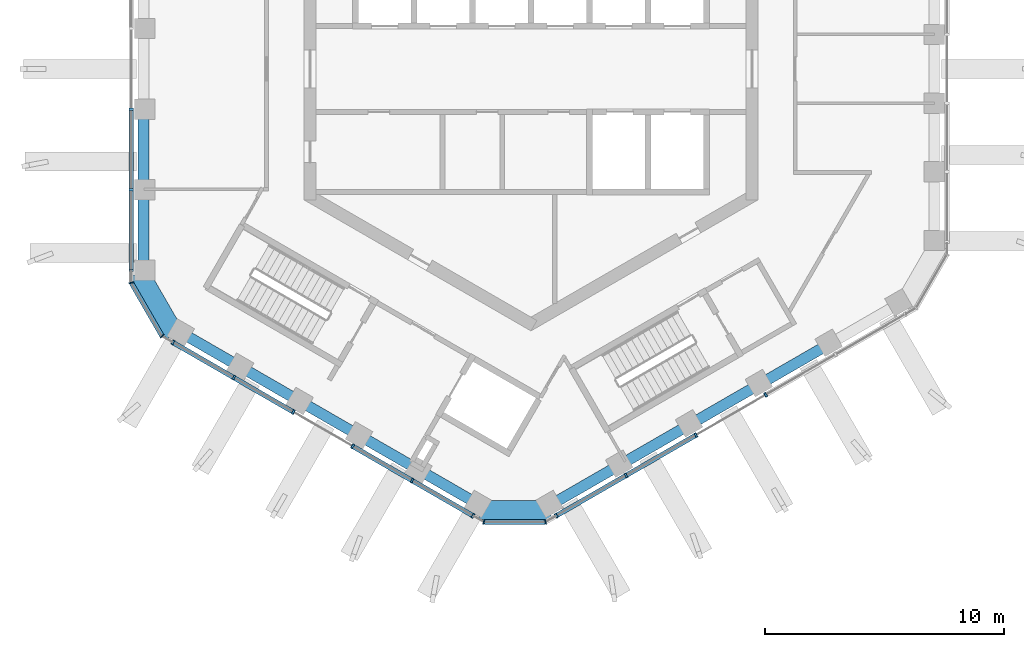
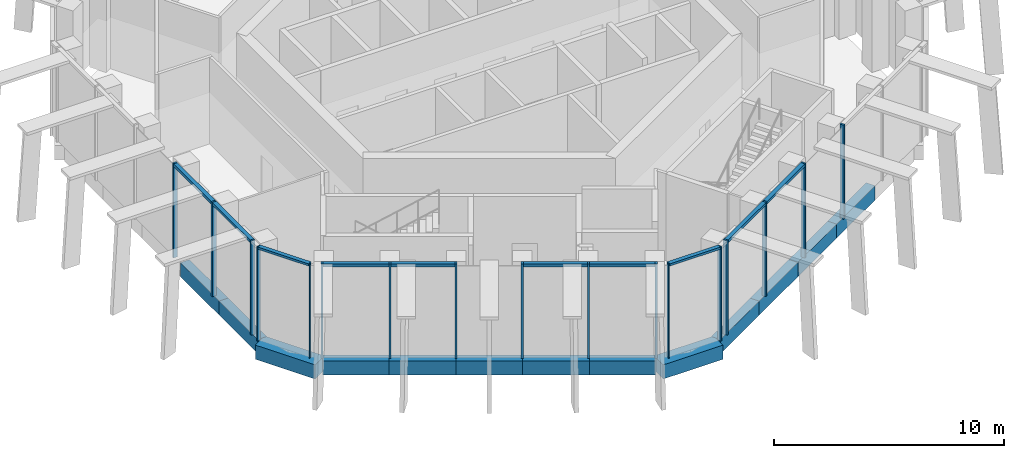
# One storey, part 2 of 17: 23 members, 13 beams, 5 elements without a shape of their own.
"""IFC4 building model written with IfcOpenShell, lengths in metres."""

from ifc_helpers import new_model, si_unit, direction, frame, origin, origin_2d, place, context, subcontext, project, spatial, rectangle, extrude, material, layer, layer_set, material_profile, profile_set, type_object, element, aggregate, save


model = new_model("IFC4")

# Units and contexts
model_context = context("Model", 3, precision=1e-05, world=origin(), true_north=direction((0.0, 1.0)))
body_context = subcontext(model_context, "Body", "Model", "MODEL_VIEW")
ifc_project = project(units=[si_unit("LENGTHUNIT", "METRE"), si_unit("AREAUNIT", "SQUARE_METRE"), si_unit("VOLUMEUNIT", "CUBIC_METRE"), si_unit("PLANEANGLEUNIT", "RADIAN"), si_unit("MASSUNIT", "GRAM", prefix="KILO")], contexts=[model_context])

# Site, building, storey
site_placement = place(None, origin())
site = spatial("IfcSite", under=ifc_project, at=site_placement, CompositionType="ELEMENT")
building_placement = place(site_placement, origin())
building = spatial("IfcBuilding", under=site, at=building_placement, Name="Ayvan Gate Tower", CompositionType="ELEMENT")
storey_placement = place(building_placement, frame((0.0, 0.0, 257.89990234375)))
storey = spatial("IfcBuildingStorey", under=building, at=storey_placement, Name="L69", CompositionType="ELEMENT", Elevation=257.89990234375)

# Beams
ifc_material_1 = material(Name="Concrete C40/50", Category="concrete")
ifc_material_profile_1 = material_profile(ifc_material_1, rectangle(XDim=0.800048828125, YDim=0.75, at=origin_2d()), Name="RC 800x750")
ifc_profile_set_1 = profile_set([ifc_material_profile_1], Name="Concrete C40/50")
beam_type_1 = type_object("IfcBeamType", Name="Corner spandrel beam RC 800x750 C40/50", PredefinedType="BEAM", material=ifc_profile_set_1)
for number, where, z_axis, x_axis, name in (
    (1, (-16.410888671875, -8.51318359375, -0.77490234375), (0.499990139034, -0.866031096941, 0.0), (0.866031096941, 0.499990139034, 0.0), "SB-L69-24"),
    (2, (-2.167236328125, -18.46875, -0.77490234375), (1.0, 0.0, 0.0), (0.0, 1.0, 0.0), "SB-L69-30"),
):
    element("IfcBeam", number, at=place(storey_placement, frame(where, z_axis=z_axis, x_axis=x_axis)), inside=storey, type_object=beam_type_1, Name=name, PredefinedType="BEAM", context=body_context, shape_type="SweptSolid", body=[
        extrude(rectangle(XDim=0.800048828125, YDim=0.75, at=origin_2d()), origin(), (0.0, 0.0, 1.0), 3.0),
    ])
ifc_material_profile_2 = material_profile(ifc_material_1, rectangle(XDim=0.449951171875, YDim=0.75, at=origin_2d()), Name="RC 450x750")
ifc_profile_set_2 = profile_set([ifc_material_profile_2], Name="Concrete C40/50")
beam_type_2 = type_object("IfcBeamType", Name="Spandrel beam RC 450x750 C40/50", PredefinedType="BEAM", material=ifc_profile_set_2)
beam_1_placement = place(storey_placement, frame((-16.22021484375, -1.6806640625, -0.77490234375), z_axis=(0.0, -1.0, 0.0), x_axis=(1.0, 0.0, 0.0)))
element("IfcBeam", 3, at=beam_1_placement, inside=storey, type_object=beam_type_2, Name="SB-L69-22", PredefinedType="BEAM", context=body_context, shape_type="SweptSolid", body=[
    extrude(rectangle(XDim=0.449951171875, YDim=0.75, at=origin_2d()), origin(), (0.0, 0.0, 1.0), 3.361328125),
])
beam_2_placement = place(storey_placement, frame((-16.22021484375, -5.0419921875, -0.77490234375), z_axis=(0.0, -1.0, 0.0), x_axis=(1.0, 0.0, 0.0)))
element("IfcBeam", 4, at=beam_2_placement, inside=storey, type_object=beam_type_2, Name="SB-L69-23", PredefinedType="BEAM", context=body_context, shape_type="SweptSolid", body=[
    extrude(rectangle(XDim=0.449951171875, YDim=0.75, at=origin_2d()), origin(), (0.0, 0.0, 1.0), 3.361083984375),
])
beam_3_placement = place(storey_placement, frame((-14.72021484375, -11.001220703125, -0.77490234375), z_axis=(0.86602149507, -0.500006770031, 0.0), x_axis=(0.500006770031, 0.86602149507, 0.0)))
element("IfcBeam", 5, at=beam_3_placement, inside=storey, type_object=beam_type_2, Name="SB-L69-25", PredefinedType="BEAM", context=body_context, shape_type="SweptSolid", body=[
    extrude(rectangle(XDim=0.449951171875, YDim=0.75, at=origin_2d()), origin(), (0.0, 0.0, 1.0), 2.89892578125),
])
beam_4_placement = place(storey_placement, frame((-12.209716796875, -12.45068359375, -0.77490234375), z_axis=(0.866042548026, -0.499970304126, 0.0), x_axis=(0.499970304126, 0.866042548026, 0.0)))
element("IfcBeam", 6, at=beam_4_placement, inside=storey, type_object=beam_type_2, Name="SB-L69-26", PredefinedType="BEAM", context=body_context, shape_type="SweptSolid", body=[
    extrude(rectangle(XDim=0.449951171875, YDim=0.75, at=origin_2d()), origin(), (0.0, 0.0, 1.0), 2.899169921875),
])
beam_5_placement = place(storey_placement, frame((-9.698974609375, -13.900146484375, -0.77490234375), z_axis=(0.865985026181, -0.50006992954, 0.0), x_axis=(0.50006992954, 0.865985026181, 0.0)))
element("IfcBeam", 7, at=beam_5_placement, inside=storey, type_object=beam_type_2, Name="SB-L69-27", PredefinedType="BEAM", context=body_context, shape_type="SweptSolid", body=[
    extrude(rectangle(XDim=0.449951171875, YDim=0.75, at=origin_2d()), origin(), (0.0, 0.0, 1.0), 2.89892578125),
])
beam_6_placement = place(storey_placement, frame((-7.1884765625, -15.349853515625, -0.77490234375), z_axis=(0.866042548026, -0.499970304126, 0.0), x_axis=(0.499970304126, 0.866042548026, 0.0)))
element("IfcBeam", 8, at=beam_6_placement, inside=storey, type_object=beam_type_2, Name="SB-L69-28", PredefinedType="BEAM", context=body_context, shape_type="SweptSolid", body=[
    extrude(rectangle(XDim=0.449951171875, YDim=0.75, at=origin_2d()), origin(), (0.0, 0.0, 1.0), 2.899169921875),
])
beam_7_placement = place(storey_placement, frame((-4.677734375, -16.79931640625, -0.77490234375), z_axis=(0.86602149507, -0.500006770031, 0.0), x_axis=(0.500006770031, 0.86602149507, 0.0)))
element("IfcBeam", 9, at=beam_7_placement, inside=storey, type_object=beam_type_2, Name="SB-L69-29", PredefinedType="BEAM", context=body_context, shape_type="SweptSolid", body=[
    extrude(rectangle(XDim=0.449951171875, YDim=0.75, at=origin_2d()), origin(), (0.0, 0.0, 1.0), 2.89892578125),
])
for number, where, z_axis, x_axis, name in (
    (10, (0.832763671875, -18.248779296875, -0.77490234375), (0.866017454602, 0.500013768135, 0.0), (-0.500013768135, 0.866017454602, 0.0), "SB-L69-31"),
    (11, (3.74365234375, -16.568115234375, -0.77490234375), (0.866035612436, 0.49998231768, 0.0), (-0.49998231768, 0.866035612436, 0.0), "SB-L69-32"),
    (12, (6.65478515625, -14.887451171875, -0.77490234375), (0.866017454602, 0.500013768135, 0.0), (-0.500013768135, 0.866017454602, 0.0), "SB-L69-33"),
    (13, (9.565673828125, -13.206787109375, -0.77490234375), (0.866017454602, 0.500013768135, 0.0), (-0.500013768135, 0.866017454602, 0.0), "SB-L69-34"),
):
    element("IfcBeam", number, at=place(storey_placement, frame(where, z_axis=z_axis, x_axis=x_axis)), inside=storey, type_object=beam_type_2, Name=name, PredefinedType="BEAM", context=body_context, shape_type="SweptSolid", body=[
        extrude(rectangle(XDim=0.449951171875, YDim=0.75, at=origin_2d()), origin(), (0.0, 0.0, 1.0), 3.361328125),
    ])

# Curtain wall, members
ifc_material_2 = material(Name="Bronze anodised aluminium", Category="aluminium")
ifc_layer_1 = layer(ifc_material_2, 0.199951171875)
ifc_layer_set_1 = layer_set([ifc_layer_1], Name="Bronze anodised aluminium")
curtain_wall_type_1 = type_object("IfcCurtainWallType", Name="Stick curtain wall CW-5", PredefinedType="NOTDEFINED", material=ifc_layer_set_1)
curtain_wall_1_placement = place(storey_placement, origin())
curtain_wall_1 = element("IfcCurtainWall", 14, at=curtain_wall_1_placement, inside=storey, type_object=curtain_wall_type_1, Name="Stick curtain wall CW-5 L69", PredefinedType="NOTDEFINED")
ifc_material_profile_3 = material_profile(ifc_material_2, rectangle(XDim=0.199951171875, YDim=0.090087890625, at=origin_2d()), Name="Stick curtain wall CW-5 mullion 200 x 90")
ifc_profile_set_3 = profile_set([ifc_material_profile_3], Name="Bronze anodised aluminium")
member_type_1 = type_object("IfcMemberType", Name="Stick curtain wall CW-5 mullion 200 x 90", PredefinedType="MULLION", material=ifc_profile_set_3)
member_1_placement = place(storey_placement, frame((-16.731689453125, -1.68701171875, 0.0), z_axis=(0.0, 0.0, 1.0), x_axis=(-1.0, 0.0, 0.0)))
member_1 = element("IfcMember", 15, at=member_1_placement, type_object=member_type_1, Name="CW-5 mullion 4", PredefinedType="MULLION", context=body_context, shape_type="SweptSolid", body=[
    extrude(rectangle(XDim=0.199951171875, YDim=0.090087890625, at=origin_2d()), origin(), (0.0, 0.0, 1.0), 5.0),
])
member_2_placement = place(storey_placement, frame((-16.731689453125, -5.06201171875, 0.0), z_axis=(0.0, 0.0, 1.0), x_axis=(-1.0, 0.0, 0.0)))
member_2 = element("IfcMember", 16, at=member_2_placement, type_object=member_type_1, Name="CW-5 mullion 5", PredefinedType="MULLION", context=body_context, shape_type="SweptSolid", body=[
    extrude(rectangle(XDim=0.199951171875, YDim=0.090087890625, at=origin_2d()), origin(), (0.0, 0.0, 1.0), 5.0),
])
member_3_placement = place(storey_placement, frame((-16.731689453125, -8.43505859375, 0.0), z_axis=(0.0, 0.0, 1.0), x_axis=(-1.0, 0.0, 0.0)))
member_3 = element("IfcMember", 17, at=member_3_placement, type_object=member_type_1, Name="CW-5 mullion 6", PredefinedType="MULLION", context=body_context, shape_type="SweptSolid", body=[
    extrude(rectangle(XDim=0.199951171875, YDim=0.090087890625, at=origin_2d()), origin(), (0.0, 0.0, 1.0), 5.0),
])

curtain_wall_2_placement = place(storey_placement, origin())
curtain_wall_2 = element("IfcCurtainWall", 18, at=curtain_wall_2_placement, inside=storey, type_object=curtain_wall_type_1, Name="Stick curtain wall CW-5 L69", PredefinedType="NOTDEFINED")
member_4_placement = place(storey_placement, frame((-14.990234375, -11.45166015625, 0.0), z_axis=(0.0, 0.0, 1.0), x_axis=(-0.5, -0.866025403784, 0.0)))
member_4 = element("IfcMember", 19, at=member_4_placement, type_object=member_type_1, Name="CW-5 mullion 1", PredefinedType="MULLION", context=body_context, shape_type="SweptSolid", body=[
    extrude(rectangle(XDim=0.199951171875, YDim=0.090087890625, at=origin_2d()), origin(), (0.0, 0.0, 1.0), 5.0),
])
member_5_placement = place(storey_placement, frame((-12.43798828125, -12.925048828125, 0.0), z_axis=(0.0, 0.0, 1.0), x_axis=(-0.5, -0.866025403784, 0.0)))
member_5 = element("IfcMember", 20, at=member_5_placement, type_object=member_type_1, Name="CW-5 mullion 2", PredefinedType="MULLION", context=body_context, shape_type="SweptSolid", body=[
    extrude(rectangle(XDim=0.199951171875, YDim=0.090087890625, at=origin_2d()), origin(), (0.0, 0.0, 1.0), 5.0),
])
member_6_placement = place(storey_placement, frame((-9.949951171875, -14.361572265625, 0.0), z_axis=(0.0, 0.0, 1.0), x_axis=(-0.5, -0.866025403784, 0.0)))
member_6 = element("IfcMember", 21, at=member_6_placement, type_object=member_type_1, Name="CW-5 mullion 3", PredefinedType="MULLION", context=body_context, shape_type="SweptSolid", body=[
    extrude(rectangle(XDim=0.199951171875, YDim=0.090087890625, at=origin_2d()), origin(), (0.0, 0.0, 1.0), 5.0),
])
member_7_placement = place(storey_placement, frame((-7.462646484375, -15.797607421875, 0.0), z_axis=(0.0, 0.0, 1.0), x_axis=(-0.5, -0.866025403784, 0.0)))
member_7 = element("IfcMember", 22, at=member_7_placement, type_object=member_type_1, Name="CW-5 mullion 4", PredefinedType="MULLION", context=body_context, shape_type="SweptSolid", body=[
    extrude(rectangle(XDim=0.199951171875, YDim=0.090087890625, at=origin_2d()), origin(), (0.0, 0.0, 1.0), 5.0),
])
member_8_placement = place(storey_placement, frame((-4.974609375, -17.234130859375, 0.0), z_axis=(0.0, 0.0, 1.0), x_axis=(-0.5, -0.866025403784, 0.0)))
member_8 = element("IfcMember", 23, at=member_8_placement, type_object=member_type_1, Name="CW-5 mullion 5", PredefinedType="MULLION", context=body_context, shape_type="SweptSolid", body=[
    extrude(rectangle(XDim=0.199951171875, YDim=0.090087890625, at=origin_2d()), origin(), (0.0, 0.0, 1.0), 5.0),
])
member_9_placement = place(storey_placement, frame((-2.42236328125, -18.707763671875, 0.0), z_axis=(0.0, 0.0, 1.0), x_axis=(-0.5, -0.866025403784, 0.0)))
member_9 = element("IfcMember", 24, at=member_9_placement, type_object=member_type_1, Name="CW-5 mullion 6", PredefinedType="MULLION", context=body_context, shape_type="SweptSolid", body=[
    extrude(rectangle(XDim=0.199951171875, YDim=0.090087890625, at=origin_2d()), origin(), (0.0, 0.0, 1.0), 5.0),
])

curtain_wall_3_placement = place(storey_placement, origin())
curtain_wall_3 = element("IfcCurtainWall", 25, at=curtain_wall_3_placement, inside=storey, type_object=curtain_wall_type_1, Name="Stick curtain wall CW-5 L69", PredefinedType="NOTDEFINED")
member_10_placement = place(storey_placement, frame((1.060791015625, -18.707763671875, 0.0), z_axis=(0.0, 0.0, 1.0), x_axis=(0.5, -0.866025403784, 0.0)))
member_10 = element("IfcMember", 26, at=member_10_placement, type_object=member_type_1, Name="CW-5 mullion 1", PredefinedType="MULLION", context=body_context, shape_type="SweptSolid", body=[
    extrude(rectangle(XDim=0.199951171875, YDim=0.090087890625, at=origin_2d()), origin(), (0.0, 0.0, 1.0), 5.0),
])
member_11_placement = place(storey_placement, frame((3.98193359375, -17.021240234375, 0.0), z_axis=(0.0, 0.0, 1.0), x_axis=(0.5, -0.866025403784, 0.0)))
member_11 = element("IfcMember", 27, at=member_11_placement, type_object=member_type_1, Name="CW-5 mullion 2", PredefinedType="MULLION", context=body_context, shape_type="SweptSolid", body=[
    extrude(rectangle(XDim=0.199951171875, YDim=0.090087890625, at=origin_2d()), origin(), (0.0, 0.0, 1.0), 5.0),
])
member_12_placement = place(storey_placement, frame((6.90478515625, -15.333740234375, 0.0), z_axis=(0.0, 0.0, 1.0), x_axis=(0.5, -0.866025403784, 0.0)))
member_12 = element("IfcMember", 28, at=member_12_placement, type_object=member_type_1, Name="CW-5 mullion 3", PredefinedType="MULLION", context=body_context, shape_type="SweptSolid", body=[
    extrude(rectangle(XDim=0.199951171875, YDim=0.090087890625, at=origin_2d()), origin(), (0.0, 0.0, 1.0), 5.0),
])
member_13_placement = place(storey_placement, frame((9.82666015625, -13.646728515625, 0.0), z_axis=(0.0, 0.0, 1.0), x_axis=(0.5, -0.866025403784, 0.0)))
member_13 = element("IfcMember", 29, at=member_13_placement, type_object=member_type_1, Name="CW-5 mullion 4", PredefinedType="MULLION", context=body_context, shape_type="SweptSolid", body=[
    extrude(rectangle(XDim=0.199951171875, YDim=0.090087890625, at=origin_2d()), origin(), (0.0, 0.0, 1.0), 5.0),
])

# Member
ifc_material_profile_4 = material_profile(ifc_material_2, rectangle(XDim=0.199951171875, YDim=0.14990234375, at=origin_2d()), Name="Stick curtain wall CW-5 transom 200 x 150")
ifc_profile_set_4 = profile_set([ifc_material_profile_4], Name="Bronze anodised aluminium")
member_type_2 = type_object("IfcMemberType", Name="Stick curtain wall CW-5 transom 200 x 150", PredefinedType="USERDEFINED", material=ifc_profile_set_4)
member_14_placement = place(storey_placement, frame((-16.731689453125, -1.73193359375, 4.925048828125), z_axis=(0.0, -1.0, 0.0), x_axis=(1.0, 0.0, 0.0)))
member_14 = element("IfcMember", 30, at=member_14_placement, type_object=member_type_2, Name="CW-5 transom 2", ObjectType="TRANSOM", PredefinedType="USERDEFINED", context=body_context, shape_type="SweptSolid", body=[
    extrude(rectangle(XDim=0.199951171875, YDim=0.14990234375, at=origin_2d()), origin(), (0.0, 0.0, 1.0), 6.703125),
])

aggregate(curtain_wall_1, [member_1, member_2, member_3, member_14])

member_15_placement = place(storey_placement, frame((-14.990234375, -11.45166015625, 4.925048828125), z_axis=(0.866036343161, -0.499981051965, 0.0), x_axis=(0.499981051965, 0.866036343161, 0.0)))
member_15 = element("IfcMember", 31, at=member_15_placement, type_object=member_type_2, Name="CW-5 transom 1", ObjectType="TRANSOM", PredefinedType="USERDEFINED", context=body_context, shape_type="SweptSolid", body=[
    extrude(rectangle(XDim=0.199951171875, YDim=0.14990234375, at=origin_2d()), origin(), (0.0, 0.0, 1.0), 5.775146484375),
])

member_16_placement = place(storey_placement, frame((-7.423583984375, -15.820068359375, 4.925048828125), z_axis=(0.866007468482, -0.500031063569, 0.0), x_axis=(0.500031063569, 0.866007468482, 0.0)))
member_16 = element("IfcMember", 32, at=member_16_placement, type_object=member_type_2, Name="CW-5 transom 2", ObjectType="TRANSOM", PredefinedType="USERDEFINED", context=body_context, shape_type="SweptSolid", body=[
    extrude(rectangle(XDim=0.199951171875, YDim=0.14990234375, at=origin_2d()), origin(), (0.0, 0.0, 1.0), 5.775146484375),
])

aggregate(curtain_wall_2, [member_4, member_5, member_6, member_7, member_8, member_9, member_15, member_16])

member_17_placement = place(storey_placement, frame((1.060791015625, -18.707763671875, 4.925048828125), z_axis=(0.866019999656, 0.500009360108, 0.0), x_axis=(-0.500009360108, 0.866019999656, 0.0)))
member_17 = element("IfcMember", 33, at=member_17_placement, type_object=member_type_2, Name="CW-5 transom 1", ObjectType="TRANSOM", PredefinedType="USERDEFINED", context=body_context, shape_type="SweptSolid", body=[
    extrude(rectangle(XDim=0.199951171875, YDim=0.14990234375, at=origin_2d()), origin(), (0.0, 0.0, 1.0), 6.702880859375),
])

aggregate(curtain_wall_3, [member_10, member_11, member_12, member_13, member_17])

# Curtain wall, members
ifc_layer_2 = layer(ifc_material_2, 0.199951171875)
ifc_layer_set_2 = layer_set([ifc_layer_2], Name="Bronze anodised aluminium")
curtain_wall_type_2 = type_object("IfcCurtainWallType", Name="Stick curtain wall CW-6", PredefinedType="NOTDEFINED", material=ifc_layer_set_2)
curtain_wall_4_placement = place(storey_placement, origin())
curtain_wall_4 = element("IfcCurtainWall", 34, at=curtain_wall_4_placement, inside=storey, type_object=curtain_wall_type_2, Name="Stick curtain wall CW-6 L69", PredefinedType="NOTDEFINED")
ifc_material_profile_5 = material_profile(ifc_material_2, rectangle(XDim=0.199951171875, YDim=0.050048828125, at=origin_2d()), Name="Stick curtain wall CW-6 mullion 200 x 50")
ifc_profile_set_5 = profile_set([ifc_material_profile_5], Name="Bronze anodised aluminium")
member_type_3 = type_object("IfcMemberType", Name="Stick curtain wall CW-6 mullion 200 x 50", PredefinedType="MULLION", material=ifc_profile_set_5)
member_18_placement = place(storey_placement, frame((-16.731689453125, -8.955078125, 0.0), z_axis=(0.0, 0.0, 1.0), x_axis=(-0.965925826289, -0.258819045103, 0.0)))
member_18 = element("IfcMember", 35, at=member_18_placement, type_object=member_type_3, Name="CW-6 mullion 2", PredefinedType="MULLION", context=body_context, shape_type="SweptSolid", body=[
    extrude(rectangle(XDim=0.199951171875, YDim=0.050048828125, at=origin_2d()), origin(), (0.0, 0.0, 1.0), 5.0),
])
member_19_placement = place(storey_placement, frame((-15.4404296875, -11.191650390625, 0.0), z_axis=(0.0, 0.0, 1.0), x_axis=(-0.707106781187, -0.707106781187, 0.0)))
member_19 = element("IfcMember", 36, at=member_19_placement, type_object=member_type_3, Name="CW-6 mullion 3", PredefinedType="MULLION", context=body_context, shape_type="SweptSolid", body=[
    extrude(rectangle(XDim=0.199951171875, YDim=0.050048828125, at=origin_2d()), origin(), (0.0, 0.0, 1.0), 5.0),
])

curtain_wall_5_placement = place(storey_placement, origin())
curtain_wall_5 = element("IfcCurtainWall", 37, at=curtain_wall_5_placement, inside=storey, type_object=curtain_wall_type_2, Name="Stick curtain wall CW-6 L69", PredefinedType="NOTDEFINED")
member_20_placement = place(storey_placement, frame((-1.971923828125, -18.9677734375, 0.0), z_axis=(0.0, 0.0, 1.0), x_axis=(-0.258819045103, -0.965925826289, 0.0)))
member_20 = element("IfcMember", 38, at=member_20_placement, type_object=member_type_3, Name="CW-6 mullion 2", PredefinedType="MULLION", context=body_context, shape_type="SweptSolid", body=[
    extrude(rectangle(XDim=0.199951171875, YDim=0.050048828125, at=origin_2d()), origin(), (0.0, 0.0, 1.0), 5.0),
])
member_21_placement = place(storey_placement, frame((0.610595703125, -18.9677734375, 0.0), z_axis=(0.0, 0.0, 1.0), x_axis=(0.258819045103, -0.965925826289, 0.0)))
member_21 = element("IfcMember", 39, at=member_21_placement, type_object=member_type_3, Name="CW-6 mullion 3", PredefinedType="MULLION", context=body_context, shape_type="SweptSolid", body=[
    extrude(rectangle(XDim=0.199951171875, YDim=0.050048828125, at=origin_2d()), origin(), (0.0, 0.0, 1.0), 5.0),
])

# Member
ifc_material_profile_6 = material_profile(ifc_material_2, rectangle(XDim=0.199951171875, YDim=0.1201171875, at=origin_2d()), Name="Stick curtain wall CW-6 transom 200 x 120")
ifc_profile_set_6 = profile_set([ifc_material_profile_6], Name="Bronze anodised aluminium")
member_type_4 = type_object("IfcMemberType", Name="Stick curtain wall CW-6 transom 200 x 120", PredefinedType="USERDEFINED", material=ifc_profile_set_6)
member_22_placement = place(storey_placement, frame((-16.71923828125, -8.976806640625, 4.940185546875), z_axis=(0.500047902311, -0.865997745606, 0.0), x_axis=(0.865997745606, 0.500047902311, 0.0)))
member_22 = element("IfcMember", 40, at=member_22_placement, type_object=member_type_4, Name="CW-6 transom 2", ObjectType="TRANSOM", PredefinedType="USERDEFINED", context=body_context, shape_type="SweptSolid", body=[
    extrude(rectangle(XDim=0.199951171875, YDim=0.1201171875, at=origin_2d()), origin(), (0.0, 0.0, 1.0), 2.532470703125),
])

aggregate(curtain_wall_4, [member_18, member_19, member_22])

member_23_placement = place(storey_placement, frame((-1.947021484375, -18.9677734375, 4.940185546875), z_axis=(1.0, 0.0, 0.0), x_axis=(0.0, 1.0, 0.0)))
member_23 = element("IfcMember", 41, at=member_23_placement, type_object=member_type_4, Name="CW-6 transom 1", ObjectType="TRANSOM", PredefinedType="USERDEFINED", context=body_context, shape_type="SweptSolid", body=[
    extrude(rectangle(XDim=0.199951171875, YDim=0.1201171875, at=origin_2d()), origin(), (0.0, 0.0, 1.0), 2.532470703125),
])

aggregate(curtain_wall_5, [member_20, member_21, member_23])

save(model, "model.ifc")
